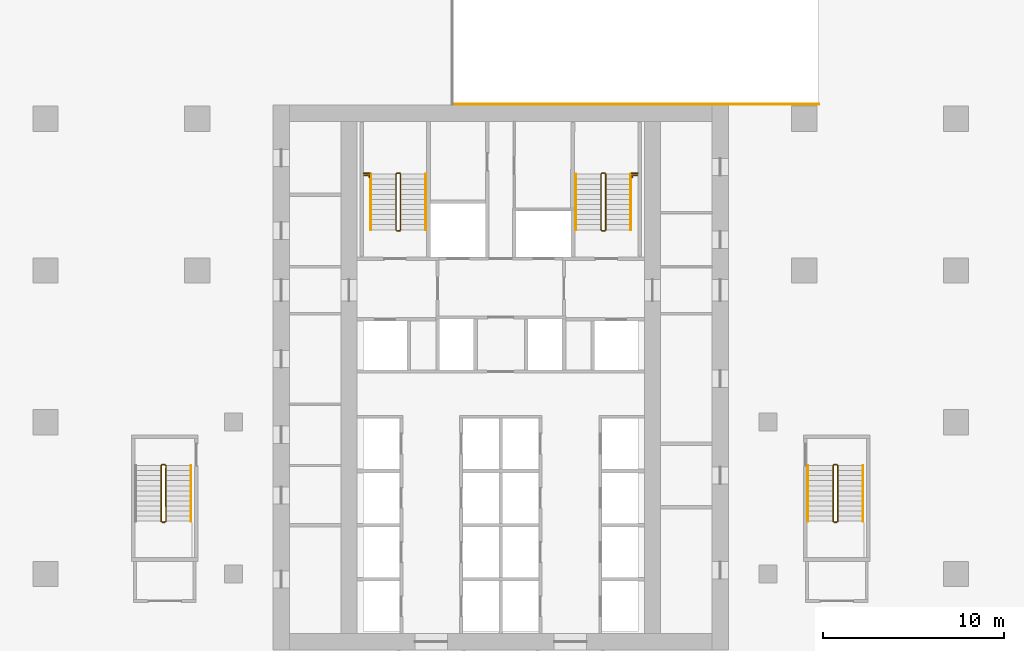
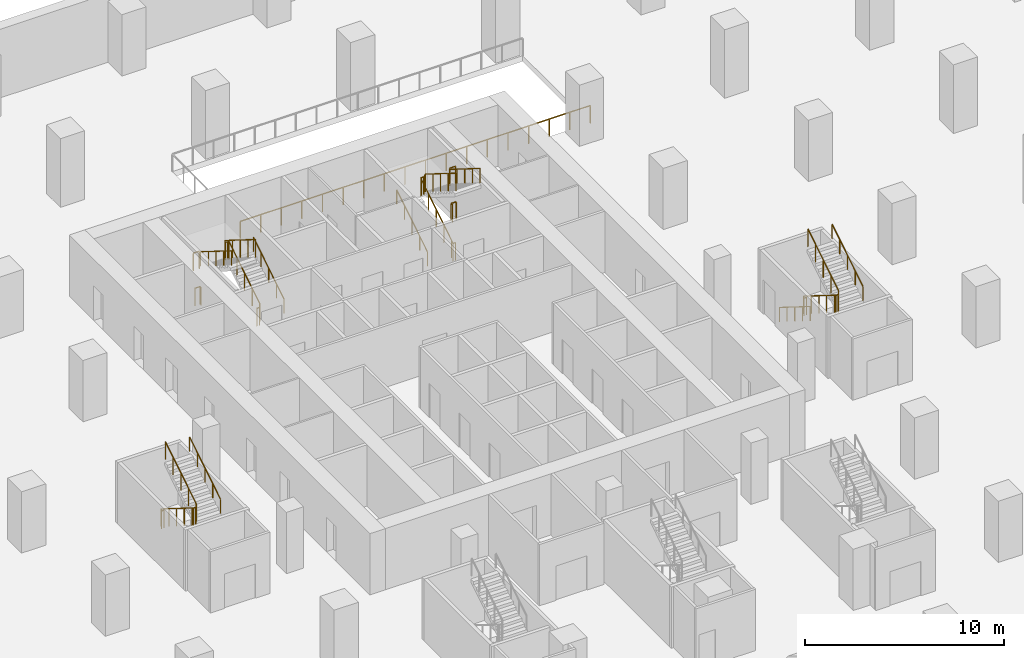
# One storey, part 14 of 17: 16 railings.
"""IFC4 building model written with IfcOpenShell, lengths in metres."""

from ifc_helpers import new_model, si_unit, direction, frame, origin, origin_2d, place, context, subcontext, project, spatial, rectangle, extrude, material, type_object, element, save


model = new_model("IFC4")

# Units and contexts
model_context = context("Model", 3, precision=1e-05, world=origin(), true_north=direction((0.0, 1.0)))
body_context = subcontext(model_context, "Body", "Model", "MODEL_VIEW")
ifc_project = project(units=[si_unit("LENGTHUNIT", "METRE"), si_unit("AREAUNIT", "SQUARE_METRE"), si_unit("VOLUMEUNIT", "CUBIC_METRE"), si_unit("PLANEANGLEUNIT", "RADIAN"), si_unit("MASSUNIT", "GRAM", prefix="KILO")], contexts=[model_context])

# Site, building, storey
site_placement = place(None, origin())
site = spatial("IfcSite", under=ifc_project, at=site_placement, CompositionType="ELEMENT")
building_placement = place(site_placement, origin())
building = spatial("IfcBuilding", under=site, at=building_placement, Name="Vermilion Ogive Tower", CompositionType="ELEMENT")
storey_placement = place(building_placement, frame((0.0, 0.0, -4.199951171875)))
storey = spatial("IfcBuildingStorey", under=building, at=storey_placement, Name="B1", CompositionType="ELEMENT", Elevation=-4.199951171875)

# Railings
ifc_material_1 = material(Name="Stainless steel", Category="steel")
railing_type_1 = type_object("IfcRailingType", Name="Slab edge guard SG1", PredefinedType="GUARDRAIL", material=ifc_material_1)
railing_1_placement = place(storey_placement, frame((-2.683349609375, 21.800048828125, 0.0)))
element("IfcRailing", 1, at=railing_1_placement, inside=storey, type_object=railing_type_1, Name="Ramp opening guard B1 S", PredefinedType="GUARDRAIL", context=body_context, shape_type="SweptSolid", body=[
    extrude(rectangle(XDim=0.050048828125, YDim=0.050048828125, at=origin_2d()), frame((0.0, 0.0, 1.0751953125), z_axis=(1.0, 0.0, 0.0), x_axis=(0.0, 1.0, 0.0)), (0.0, 0.0, 1.0), 20.283447265625),
    extrude(rectangle(XDim=0.050048828125, YDim=0.050048828125, at=origin_2d()), origin(), (0.0, 0.0, 1.0), 1.050048828125),
    extrude(rectangle(XDim=0.050048828125, YDim=0.050048828125, at=origin_2d()), frame((1.193115234375, 0.0, 0.0)), (0.0, 0.0, 1.0), 1.050048828125),
    extrude(rectangle(XDim=0.050048828125, YDim=0.050048828125, at=origin_2d()), frame((2.38623046875, 0.0, 0.0)), (0.0, 0.0, 1.0), 1.050048828125),
    extrude(rectangle(XDim=0.050048828125, YDim=0.050048828125, at=origin_2d()), frame((3.579345703125, 0.0, 0.0)), (0.0, 0.0, 1.0), 1.050048828125),
    extrude(rectangle(XDim=0.050048828125, YDim=0.050048828125, at=origin_2d()), frame((4.7724609375, 0.0, 0.0)), (0.0, 0.0, 1.0), 1.050048828125),
    extrude(rectangle(XDim=0.050048828125, YDim=0.050048828125, at=origin_2d()), frame((5.9658203125, 0.0, 0.0)), (0.0, 0.0, 1.0), 1.050048828125),
    extrude(rectangle(XDim=0.050048828125, YDim=0.050048828125, at=origin_2d()), frame((7.158935546875, 0.0, 0.0)), (0.0, 0.0, 1.0), 1.050048828125),
    extrude(rectangle(XDim=0.050048828125, YDim=0.050048828125, at=origin_2d()), frame((8.35205078125, 0.0, 0.0)), (0.0, 0.0, 1.0), 1.050048828125),
    extrude(rectangle(XDim=0.050048828125, YDim=0.050048828125, at=origin_2d()), frame((9.545166015625, 0.0, 0.0)), (0.0, 0.0, 1.0), 1.050048828125),
    extrude(rectangle(XDim=0.050048828125, YDim=0.050048828125, at=origin_2d()), frame((10.73828125, 0.0, 0.0)), (0.0, 0.0, 1.0), 1.050048828125),
    extrude(rectangle(XDim=0.050048828125, YDim=0.050048828125, at=origin_2d()), frame((11.931396484375, 0.0, 0.0)), (0.0, 0.0, 1.0), 1.050048828125),
    extrude(rectangle(XDim=0.050048828125, YDim=0.050048828125, at=origin_2d()), frame((13.12451171875, 0.0, 0.0)), (0.0, 0.0, 1.0), 1.050048828125),
    extrude(rectangle(XDim=0.050048828125, YDim=0.050048828125, at=origin_2d()), frame((14.317626953125, 0.0, 0.0)), (0.0, 0.0, 1.0), 1.050048828125),
    extrude(rectangle(XDim=0.050048828125, YDim=0.050048828125, at=origin_2d()), frame((15.510986328125, 0.0, 0.0)), (0.0, 0.0, 1.0), 1.050048828125),
    extrude(rectangle(XDim=0.050048828125, YDim=0.050048828125, at=origin_2d()), frame((16.7041015625, 0.0, 0.0)), (0.0, 0.0, 1.0), 1.050048828125),
    extrude(rectangle(XDim=0.050048828125, YDim=0.050048828125, at=origin_2d()), frame((17.897216796875, 0.0, 0.0)), (0.0, 0.0, 1.0), 1.050048828125),
    extrude(rectangle(XDim=0.050048828125, YDim=0.050048828125, at=origin_2d()), frame((19.09033203125, 0.0, 0.0)), (0.0, 0.0, 1.0), 1.050048828125),
    extrude(rectangle(XDim=0.050048828125, YDim=0.050048828125, at=origin_2d()), frame((20.283447265625, 0.0, 0.0)), (0.0, 0.0, 1.0), 1.050048828125),
])
ifc_material_2 = material(Name="Steel S355 painted", Category="steel")
railing_type_2 = type_object("IfcRailingType", Name="Stair guard 1100", PredefinedType="GUARDRAIL", material=ifc_material_2)
railing_2_placement = place(storey_placement, frame((-5.75, 14.800048828125, 0.0)))
element("IfcRailing", 2, at=railing_2_placement, inside=storey, type_object=railing_type_2, Name="B1 ST1 stair guard 4", PredefinedType="GUARDRAIL", context=body_context, shape_type="SweptSolid", body=[
    extrude(rectangle(XDim=0.048095703125, YDim=0.048095703125, at=origin_2d()), frame((0.0, 0.0, 1.076171875), z_axis=(1.0, 0.0, 0.0), x_axis=(0.0, 1.0, 0.0)), (0.0, 0.0, 1.0), 0.14990234375),
    extrude(rectangle(XDim=0.048095703125, YDim=0.048095703125, at=origin_2d()), frame((0.14990234375, 0.0, 1.076171875), z_axis=(0.265065253269, 0.265065253269, 0.927081885822), x_axis=(-0.707106781187, 0.707106781187, 0.0)), (0.0, 0.0, 1.0), 0.188720703125),
    extrude(rectangle(XDim=0.048095703125, YDim=0.048095703125, at=origin_2d()), frame((0.199951171875, 0.050048828125, 1.2509765625), z_axis=(0.0, 0.848009633417, 0.529980812513), x_axis=(-1.0, 0.0, 0.0)), (0.0, 0.0, 1.0), 3.6318359375),
    extrude(rectangle(XDim=0.048095703125, YDim=0.048095703125, at=origin_2d()), frame((0.199951171875, 3.1298828125, 3.17578125), z_axis=(-0.707106781187, 0.707106781187, 0.0), x_axis=(-0.707106781187, -0.707106781187, 0.0)), (0.0, 0.0, 1.0), 0.07080078125),
    extrude(rectangle(XDim=0.048095703125, YDim=0.048095703125, at=origin_2d()), frame((0.14990234375, 3.179931640625, 3.17578125), z_axis=(-1.0, 0.0, 0.0), x_axis=(0.0, -1.0, 0.0)), (0.0, 0.0, 1.0), 0.14990234375),
    extrude(rectangle(XDim=0.048095703125, YDim=0.048095703125, at=origin_2d()), frame((0.0, 3.179931640625, 3.17578125), z_axis=(-0.265065253269, -0.265065253269, 0.927081885822), x_axis=(0.707106781187, -0.707106781187, 0.0)), (0.0, 0.0, 1.0), 0.188720703125),
    extrude(rectangle(XDim=0.048095703125, YDim=0.048095703125, at=origin_2d()), frame((-0.050048828125, 3.1298828125, 3.35107421875), z_axis=(0.0, -0.847979421464, 0.530029150871), x_axis=(1.0, 0.0, 0.0)), (0.0, 0.0, 1.0), 3.632080078125),
    extrude(rectangle(XDim=0.0419921875, YDim=0.0419921875, at=origin_2d()), origin(), (0.0, 0.0, 1.0), 1.052001953125),
    extrude(rectangle(XDim=0.0419921875, YDim=0.0419921875, at=origin_2d()), frame((0.14990234375, 0.0, 0.0)), (0.0, 0.0, 1.0), 1.052001953125),
    extrude(rectangle(XDim=0.0419921875, YDim=0.0419921875, at=origin_2d()), frame((0.199951171875, 0.050048828125, 0.175048828125)), (0.0, 0.0, 1.0), 1.052001953125),
    extrude(rectangle(XDim=0.0419921875, YDim=0.0419921875, at=origin_2d()), frame((0.199951171875, 0.820068359375, 0.65625)), (0.0, 0.0, 1.0), 1.052001953125),
    extrude(rectangle(XDim=0.0419921875, YDim=0.0419921875, at=origin_2d()), frame((0.199951171875, 1.58984375, 1.137451171875)), (0.0, 0.0, 1.0), 1.052001953125),
    extrude(rectangle(XDim=0.0419921875, YDim=0.0419921875, at=origin_2d()), frame((0.199951171875, 2.35986328125, 1.61865234375)), (0.0, 0.0, 1.0), 1.052001953125),
    extrude(rectangle(XDim=0.0419921875, YDim=0.0419921875, at=origin_2d()), frame((0.199951171875, 3.1298828125, 2.099853515625)), (0.0, 0.0, 1.0), 1.052001953125),
    extrude(rectangle(XDim=0.0419921875, YDim=0.0419921875, at=origin_2d()), frame((0.14990234375, 3.179931640625, 2.099853515625)), (0.0, 0.0, 1.0), 1.052001953125),
    extrude(rectangle(XDim=0.0419921875, YDim=0.0419921875, at=origin_2d()), frame((0.0, 3.179931640625, 2.099853515625)), (0.0, 0.0, 1.0), 1.052001953125),
    extrude(rectangle(XDim=0.0419921875, YDim=0.0419921875, at=origin_2d()), frame((-0.050048828125, 3.1298828125, 2.27490234375)), (0.0, 0.0, 1.0), 1.052001953125),
    extrude(rectangle(XDim=0.0419921875, YDim=0.0419921875, at=origin_2d()), frame((-0.050048828125, 2.35986328125, 2.756103515625)), (0.0, 0.0, 1.0), 1.052001953125),
    extrude(rectangle(XDim=0.0419921875, YDim=0.0419921875, at=origin_2d()), frame((-0.050048828125, 1.58984375, 3.2373046875)), (0.0, 0.0, 1.0), 1.052001953125),
    extrude(rectangle(XDim=0.0419921875, YDim=0.0419921875, at=origin_2d()), frame((-0.050048828125, 0.820068359375, 3.71875)), (0.0, 0.0, 1.0), 1.052001953125),
    extrude(rectangle(XDim=0.0419921875, YDim=0.0419921875, at=origin_2d()), frame((-0.050048828125, 0.050048828125, 4.199951171875)), (0.0, 0.0, 1.0), 1.052001953125),
])
railing_3_placement = place(storey_placement, frame((5.75, 14.800048828125, 0.0)))
element("IfcRailing", 3, at=railing_3_placement, inside=storey, type_object=railing_type_2, Name="B1 ST2 stair guard 4", PredefinedType="GUARDRAIL", context=body_context, shape_type="SweptSolid", body=[
    extrude(rectangle(XDim=0.048095703125, YDim=0.048095703125, at=origin_2d()), frame((0.0, 0.0, 1.076171875), z_axis=(-1.0, 0.0, 0.0), x_axis=(0.0, -1.0, 0.0)), (0.0, 0.0, 1.0), 0.14990234375),
    extrude(rectangle(XDim=0.048095703125, YDim=0.048095703125, at=origin_2d()), frame((-0.14990234375, 0.0, 1.076171875), z_axis=(-0.265065253269, 0.265065253269, 0.927081885822), x_axis=(-0.707106781187, -0.707106781187, 0.0)), (0.0, 0.0, 1.0), 0.188720703125),
    extrude(rectangle(XDim=0.048095703125, YDim=0.048095703125, at=origin_2d()), frame((-0.199951171875, 0.050048828125, 1.2509765625), z_axis=(0.0, 0.848009633417, 0.529980812513), x_axis=(-1.0, 0.0, 0.0)), (0.0, 0.0, 1.0), 3.6318359375),
    extrude(rectangle(XDim=0.048095703125, YDim=0.048095703125, at=origin_2d()), frame((-0.199951171875, 3.1298828125, 3.17578125), z_axis=(0.707106781187, 0.707106781187, 0.0), x_axis=(-0.707106781187, 0.707106781187, 0.0)), (0.0, 0.0, 1.0), 0.07080078125),
    extrude(rectangle(XDim=0.048095703125, YDim=0.048095703125, at=origin_2d()), frame((-0.14990234375, 3.179931640625, 3.17578125), z_axis=(1.0, 0.0, 0.0), x_axis=(0.0, 1.0, 0.0)), (0.0, 0.0, 1.0), 0.14990234375),
    extrude(rectangle(XDim=0.048095703125, YDim=0.048095703125, at=origin_2d()), frame((0.0, 3.179931640625, 3.17578125), z_axis=(0.265065253269, -0.265065253269, 0.927081885822), x_axis=(0.707106781187, 0.707106781187, 0.0)), (0.0, 0.0, 1.0), 0.188720703125),
    extrude(rectangle(XDim=0.048095703125, YDim=0.048095703125, at=origin_2d()), frame((0.050048828125, 3.1298828125, 3.35107421875), z_axis=(0.0, -0.847979421464, 0.530029150871), x_axis=(1.0, 0.0, 0.0)), (0.0, 0.0, 1.0), 3.632080078125),
    extrude(rectangle(XDim=0.0419921875, YDim=0.0419921875, at=origin_2d()), origin(), (0.0, 0.0, 1.0), 1.052001953125),
    extrude(rectangle(XDim=0.0419921875, YDim=0.0419921875, at=origin_2d()), frame((-0.14990234375, 0.0, 0.0)), (0.0, 0.0, 1.0), 1.052001953125),
    extrude(rectangle(XDim=0.0419921875, YDim=0.0419921875, at=origin_2d()), frame((-0.199951171875, 0.050048828125, 0.175048828125)), (0.0, 0.0, 1.0), 1.052001953125),
    extrude(rectangle(XDim=0.0419921875, YDim=0.0419921875, at=origin_2d()), frame((-0.199951171875, 0.820068359375, 0.65625)), (0.0, 0.0, 1.0), 1.052001953125),
    extrude(rectangle(XDim=0.0419921875, YDim=0.0419921875, at=origin_2d()), frame((-0.199951171875, 1.58984375, 1.137451171875)), (0.0, 0.0, 1.0), 1.052001953125),
    extrude(rectangle(XDim=0.0419921875, YDim=0.0419921875, at=origin_2d()), frame((-0.199951171875, 2.35986328125, 1.61865234375)), (0.0, 0.0, 1.0), 1.052001953125),
    extrude(rectangle(XDim=0.0419921875, YDim=0.0419921875, at=origin_2d()), frame((-0.199951171875, 3.1298828125, 2.099853515625)), (0.0, 0.0, 1.0), 1.052001953125),
    extrude(rectangle(XDim=0.0419921875, YDim=0.0419921875, at=origin_2d()), frame((-0.14990234375, 3.179931640625, 2.099853515625)), (0.0, 0.0, 1.0), 1.052001953125),
    extrude(rectangle(XDim=0.0419921875, YDim=0.0419921875, at=origin_2d()), frame((0.0, 3.179931640625, 2.099853515625)), (0.0, 0.0, 1.0), 1.052001953125),
    extrude(rectangle(XDim=0.0419921875, YDim=0.0419921875, at=origin_2d()), frame((0.050048828125, 3.1298828125, 2.27490234375)), (0.0, 0.0, 1.0), 1.052001953125),
    extrude(rectangle(XDim=0.0419921875, YDim=0.0419921875, at=origin_2d()), frame((0.050048828125, 2.35986328125, 2.756103515625)), (0.0, 0.0, 1.0), 1.052001953125),
    extrude(rectangle(XDim=0.0419921875, YDim=0.0419921875, at=origin_2d()), frame((0.050048828125, 1.58984375, 3.2373046875)), (0.0, 0.0, 1.0), 1.052001953125),
    extrude(rectangle(XDim=0.0419921875, YDim=0.0419921875, at=origin_2d()), frame((0.050048828125, 0.820068359375, 3.71875)), (0.0, 0.0, 1.0), 1.052001953125),
    extrude(rectangle(XDim=0.0419921875, YDim=0.0419921875, at=origin_2d()), frame((0.050048828125, 0.050048828125, 4.199951171875)), (0.0, 0.0, 1.0), 1.052001953125),
])
railing_4_placement = place(storey_placement, frame((18.60009765625, 1.85009765625, 0.0)))
element("IfcRailing", 4, at=railing_4_placement, inside=storey, type_object=railing_type_2, Name="B1 ST8 stair guard 4", PredefinedType="GUARDRAIL", context=body_context, shape_type="SweptSolid", body=[
    extrude(rectangle(XDim=0.048095703125, YDim=0.048095703125, at=origin_2d()), frame((0.0, 0.0, 1.076171875), z_axis=(-1.0, 0.0, 0.0), x_axis=(0.0, -1.0, 0.0)), (0.0, 0.0, 1.0), 0.150146484375),
    extrude(rectangle(XDim=0.048095703125, YDim=0.048095703125, at=origin_2d()), frame((-0.150146484375, 0.0, 1.076171875), z_axis=(-0.265065253269, -0.265065253269, 0.927081885822), x_axis=(0.707106781187, -0.707106781187, 0.0)), (0.0, 0.0, 1.0), 0.188720703125),
    extrude(rectangle(XDim=0.048095703125, YDim=0.048095703125, at=origin_2d()), frame((-0.2001953125, -0.050048828125, 1.2509765625), z_axis=(0.0, -0.848028513186, 0.529950602248), x_axis=(1.0, 0.0, 0.0)), (0.0, 0.0, 1.0), 3.632080078125),
    extrude(rectangle(XDim=0.048095703125, YDim=0.048095703125, at=origin_2d()), frame((-0.2001953125, -3.130126953125, 3.17578125), z_axis=(0.707106781187, -0.707106781187, 0.0), x_axis=(0.707106781187, 0.707106781187, 0.0)), (0.0, 0.0, 1.0), 0.07080078125),
    extrude(rectangle(XDim=0.048095703125, YDim=0.048095703125, at=origin_2d()), frame((-0.150146484375, -3.18017578125, 3.17578125), z_axis=(1.0, 0.0, 0.0), x_axis=(0.0, 1.0, 0.0)), (0.0, 0.0, 1.0), 0.150146484375),
    extrude(rectangle(XDim=0.048095703125, YDim=0.048095703125, at=origin_2d()), frame((0.0, -3.18017578125, 3.17578125), z_axis=(0.263862480399, 0.265155923931, 0.927399011991), x_axis=(-0.708833529934, 0.705375805398, 0.0)), (0.0, 0.0, 1.0), 0.188720703125),
    extrude(rectangle(XDim=0.048095703125, YDim=0.048095703125, at=origin_2d()), frame((0.0498046875, -3.130126953125, 3.35107421875), z_axis=(0.0, 0.847998304005, 0.529998940003), x_axis=(-1.0, 0.0, 0.0)), (0.0, 0.0, 1.0), 3.632080078125),
    extrude(rectangle(XDim=0.0419921875, YDim=0.0419921875, at=origin_2d()), origin(), (0.0, 0.0, 1.0), 1.052001953125),
    extrude(rectangle(XDim=0.0419921875, YDim=0.0419921875, at=origin_2d()), frame((-0.150146484375, 0.0, 0.0)), (0.0, 0.0, 1.0), 1.052001953125),
    extrude(rectangle(XDim=0.0419921875, YDim=0.0419921875, at=origin_2d()), frame((-0.2001953125, -0.050048828125, 0.175048828125)), (0.0, 0.0, 1.0), 1.052001953125),
    extrude(rectangle(XDim=0.0419921875, YDim=0.0419921875, at=origin_2d()), frame((-0.2001953125, -0.820068359375, 0.65625)), (0.0, 0.0, 1.0), 1.052001953125),
    extrude(rectangle(XDim=0.0419921875, YDim=0.0419921875, at=origin_2d()), frame((-0.2001953125, -1.590087890625, 1.137451171875)), (0.0, 0.0, 1.0), 1.052001953125),
    extrude(rectangle(XDim=0.0419921875, YDim=0.0419921875, at=origin_2d()), frame((-0.2001953125, -2.360107421875, 1.61865234375)), (0.0, 0.0, 1.0), 1.052001953125),
    extrude(rectangle(XDim=0.0419921875, YDim=0.0419921875, at=origin_2d()), frame((-0.2001953125, -3.130126953125, 2.099853515625)), (0.0, 0.0, 1.0), 1.052001953125),
    extrude(rectangle(XDim=0.0419921875, YDim=0.0419921875, at=origin_2d()), frame((-0.150146484375, -3.18017578125, 2.099853515625)), (0.0, 0.0, 1.0), 1.052001953125),
    extrude(rectangle(XDim=0.0419921875, YDim=0.0419921875, at=origin_2d()), frame((0.0, -3.18017578125, 2.099853515625)), (0.0, 0.0, 1.0), 1.052001953125),
    extrude(rectangle(XDim=0.0419921875, YDim=0.0419921875, at=origin_2d()), frame((0.0498046875, -3.130126953125, 2.27490234375)), (0.0, 0.0, 1.0), 1.052001953125),
    extrude(rectangle(XDim=0.0419921875, YDim=0.0419921875, at=origin_2d()), frame((0.0498046875, -2.360107421875, 2.756103515625)), (0.0, 0.0, 1.0), 1.052001953125),
    extrude(rectangle(XDim=0.0419921875, YDim=0.0419921875, at=origin_2d()), frame((0.0498046875, -1.590087890625, 3.2373046875)), (0.0, 0.0, 1.0), 1.052001953125),
    extrude(rectangle(XDim=0.0419921875, YDim=0.0419921875, at=origin_2d()), frame((0.0498046875, -0.820068359375, 3.71875)), (0.0, 0.0, 1.0), 1.052001953125),
    extrude(rectangle(XDim=0.0419921875, YDim=0.0419921875, at=origin_2d()), frame((0.0498046875, -0.050048828125, 4.199951171875)), (0.0, 0.0, 1.0), 1.052001953125),
])
railing_5_placement = place(storey_placement, frame((-18.60009765625, 1.85009765625, 0.0)))
element("IfcRailing", 5, at=railing_5_placement, inside=storey, type_object=railing_type_2, Name="B1 ST9 stair guard 4", PredefinedType="GUARDRAIL", context=body_context, shape_type="SweptSolid", body=[
    extrude(rectangle(XDim=0.048095703125, YDim=0.048095703125, at=origin_2d()), frame((0.0, 0.0, 1.076171875), z_axis=(-1.0, 0.0, 0.0), x_axis=(0.0, -1.0, 0.0)), (0.0, 0.0, 1.0), 0.14990234375),
    extrude(rectangle(XDim=0.048095703125, YDim=0.048095703125, at=origin_2d()), frame((-0.14990234375, 0.0, 1.076171875), z_axis=(-0.265065253269, -0.265065253269, 0.927081885822), x_axis=(0.707106781187, -0.707106781187, 0.0)), (0.0, 0.0, 1.0), 0.188720703125),
    extrude(rectangle(XDim=0.048095703125, YDim=0.048095703125, at=origin_2d()), frame((-0.199951171875, -0.050048828125, 1.2509765625), z_axis=(0.0, -0.848028513186, 0.529950602248), x_axis=(1.0, 0.0, 0.0)), (0.0, 0.0, 1.0), 3.632080078125),
    extrude(rectangle(XDim=0.048095703125, YDim=0.048095703125, at=origin_2d()), frame((-0.199951171875, -3.130126953125, 3.17578125), z_axis=(0.707106781187, -0.707106781187, 0.0), x_axis=(0.707106781187, 0.707106781187, 0.0)), (0.0, 0.0, 1.0), 0.07080078125),
    extrude(rectangle(XDim=0.048095703125, YDim=0.048095703125, at=origin_2d()), frame((-0.14990234375, -3.18017578125, 3.17578125), z_axis=(1.0, 0.0, 0.0), x_axis=(0.0, 1.0, 0.0)), (0.0, 0.0, 1.0), 0.14990234375),
    extrude(rectangle(XDim=0.048095703125, YDim=0.048095703125, at=origin_2d()), frame((0.0, -3.18017578125, 3.17578125), z_axis=(0.265065253269, 0.265065253269, 0.927081885822), x_axis=(-0.707106781187, 0.707106781187, 0.0)), (0.0, 0.0, 1.0), 0.188720703125),
    extrude(rectangle(XDim=0.048095703125, YDim=0.048095703125, at=origin_2d()), frame((0.050048828125, -3.130126953125, 3.35107421875), z_axis=(0.0, 0.847998304005, 0.529998940003), x_axis=(-1.0, 0.0, 0.0)), (0.0, 0.0, 1.0), 3.632080078125),
    extrude(rectangle(XDim=0.0419921875, YDim=0.0419921875, at=origin_2d()), origin(), (0.0, 0.0, 1.0), 1.052001953125),
    extrude(rectangle(XDim=0.0419921875, YDim=0.0419921875, at=origin_2d()), frame((-0.14990234375, 0.0, 0.0)), (0.0, 0.0, 1.0), 1.052001953125),
    extrude(rectangle(XDim=0.0419921875, YDim=0.0419921875, at=origin_2d()), frame((-0.199951171875, -0.050048828125, 0.175048828125)), (0.0, 0.0, 1.0), 1.052001953125),
    extrude(rectangle(XDim=0.0419921875, YDim=0.0419921875, at=origin_2d()), frame((-0.199951171875, -0.820068359375, 0.65625)), (0.0, 0.0, 1.0), 1.052001953125),
    extrude(rectangle(XDim=0.0419921875, YDim=0.0419921875, at=origin_2d()), frame((-0.199951171875, -1.590087890625, 1.137451171875)), (0.0, 0.0, 1.0), 1.052001953125),
    extrude(rectangle(XDim=0.0419921875, YDim=0.0419921875, at=origin_2d()), frame((-0.199951171875, -2.360107421875, 1.61865234375)), (0.0, 0.0, 1.0), 1.052001953125),
    extrude(rectangle(XDim=0.0419921875, YDim=0.0419921875, at=origin_2d()), frame((-0.199951171875, -3.130126953125, 2.099853515625)), (0.0, 0.0, 1.0), 1.052001953125),
    extrude(rectangle(XDim=0.0419921875, YDim=0.0419921875, at=origin_2d()), frame((-0.14990234375, -3.18017578125, 2.099853515625)), (0.0, 0.0, 1.0), 1.052001953125),
    extrude(rectangle(XDim=0.0419921875, YDim=0.0419921875, at=origin_2d()), frame((0.0, -3.18017578125, 2.099853515625)), (0.0, 0.0, 1.0), 1.052001953125),
    extrude(rectangle(XDim=0.0419921875, YDim=0.0419921875, at=origin_2d()), frame((0.050048828125, -3.130126953125, 2.27490234375)), (0.0, 0.0, 1.0), 1.052001953125),
    extrude(rectangle(XDim=0.0419921875, YDim=0.0419921875, at=origin_2d()), frame((0.050048828125, -2.360107421875, 2.756103515625)), (0.0, 0.0, 1.0), 1.052001953125),
    extrude(rectangle(XDim=0.0419921875, YDim=0.0419921875, at=origin_2d()), frame((0.050048828125, -1.590087890625, 3.2373046875)), (0.0, 0.0, 1.0), 1.052001953125),
    extrude(rectangle(XDim=0.0419921875, YDim=0.0419921875, at=origin_2d()), frame((0.050048828125, -0.820068359375, 3.71875)), (0.0, 0.0, 1.0), 1.052001953125),
    extrude(rectangle(XDim=0.0419921875, YDim=0.0419921875, at=origin_2d()), frame((0.050048828125, -0.050048828125, 4.199951171875)), (0.0, 0.0, 1.0), 1.052001953125),
])
for number, where, name in (
    (6, (-7.60009765625, 17.97998046875, 2.099853515625), "B1 landing guard"),
    (7, (7.25, 17.97998046875, 2.099853515625), "B1 landing guard"),
):
    element("IfcRailing", number, at=place(storey_placement, frame(where)), inside=storey, type_object=railing_type_2, Name=name, PredefinedType="GUARDRAIL", context=body_context, shape_type="SweptSolid", body=[
        extrude(rectangle(XDim=0.048095703125, YDim=0.048095703125, at=origin_2d()), frame((0.0, 0.0, 1.076171875), z_axis=(1.0, 0.0, 0.0), x_axis=(0.0, 1.0, 0.0)), (0.0, 0.0, 1.0), 0.35009765625),
        extrude(rectangle(XDim=0.0419921875, YDim=0.0419921875, at=origin_2d()), origin(), (0.0, 0.0, 1.0), 1.052001953125),
        extrude(rectangle(XDim=0.0419921875, YDim=0.0419921875, at=origin_2d()), frame((0.35009765625, 0.0, 0.0)), (0.0, 0.0, 1.0), 1.052001953125),
    ])
railing_6_placement = place(storey_placement, frame((-7.56298828125, 17.87451171875, 0.0)))
element("IfcRailing", 8, at=railing_6_placement, inside=storey, type_object=railing_type_2, Name="B1 stair opening guard", PredefinedType="GUARDRAIL", context=body_context, shape_type="SweptSolid", body=[
    extrude(rectangle(XDim=0.048095703125, YDim=0.048095703125, at=origin_2d()), frame((0.0, 0.0, 1.076171875), z_axis=(1.0, 0.0, 0.0), x_axis=(0.0, 1.0, 0.0)), (0.0, 0.0, 1.0), 0.2900390625),
    extrude(rectangle(XDim=0.048095703125, YDim=0.048095703125, at=origin_2d()), frame((0.2900390625, 0.0, 1.076171875), z_axis=(0.0, -1.0, 0.0), x_axis=(1.0, 0.0, 0.0)), (0.0, 0.0, 1.0), 0.119873046875),
    extrude(rectangle(XDim=0.0419921875, YDim=0.0419921875, at=origin_2d()), origin(), (0.0, 0.0, 1.0), 1.052001953125),
    extrude(rectangle(XDim=0.0419921875, YDim=0.0419921875, at=origin_2d()), frame((0.2900390625, 0.0, 0.0)), (0.0, 0.0, 1.0), 1.052001953125),
    extrude(rectangle(XDim=0.0419921875, YDim=0.0419921875, at=origin_2d()), frame((0.2900390625, -0.119873046875, 0.0)), (0.0, 0.0, 1.0), 1.052001953125),
])
railing_7_placement = place(storey_placement, frame((7.27294921875, 17.754638671875, 0.0)))
element("IfcRailing", 9, at=railing_7_placement, inside=storey, type_object=railing_type_2, Name="B1 stair opening guard", PredefinedType="GUARDRAIL", context=body_context, shape_type="SweptSolid", body=[
    extrude(rectangle(XDim=0.048095703125, YDim=0.048095703125, at=origin_2d()), frame((0.0, 0.0, 1.076171875), z_axis=(0.0, 1.0, 0.0), x_axis=(-1.0, 0.0, 0.0)), (0.0, 0.0, 1.0), 0.119873046875),
    extrude(rectangle(XDim=0.048095703125, YDim=0.048095703125, at=origin_2d()), frame((0.0, 0.119873046875, 1.076171875), z_axis=(1.0, 0.0, 0.0), x_axis=(0.0, 1.0, 0.0)), (0.0, 0.0, 1.0), 0.2900390625),
    extrude(rectangle(XDim=0.0419921875, YDim=0.0419921875, at=origin_2d()), origin(), (0.0, 0.0, 1.0), 1.052001953125),
    extrude(rectangle(XDim=0.0419921875, YDim=0.0419921875, at=origin_2d()), frame((0.0, 0.119873046875, 0.0)), (0.0, 0.0, 1.0), 1.052001953125),
    extrude(rectangle(XDim=0.0419921875, YDim=0.0419921875, at=origin_2d()), frame((0.2900390625, 0.119873046875, 0.0)), (0.0, 0.0, 1.0), 1.052001953125),
])
ifc_material_3 = material(Name="Stainless steel", Category="steel")
railing_type_3 = type_object("IfcRailingType", Name="Stair handrail 900", PredefinedType="HANDRAIL", material=ifc_material_3)
railing_8_placement = place(storey_placement, frame((-4.14990234375, 14.85009765625, 0.175048828125)))
element("IfcRailing", 10, at=railing_8_placement, inside=storey, type_object=railing_type_3, Name="B1 ST1 stair handrail 1", PredefinedType="HANDRAIL", context=body_context, shape_type="SweptSolid", body=[
    extrude(rectangle(XDim=0.048095703125, YDim=0.048095703125, at=origin_2d()), frame((0.0, 0.0, 0.8759765625), z_axis=(0.0, 0.848009633417, 0.529980812513), x_axis=(-1.0, 0.0, 0.0)), (0.0, 0.0, 1.0), 3.6318359375),
    extrude(rectangle(XDim=0.0419921875, YDim=0.0419921875, at=origin_2d()), origin(), (0.0, 0.0, 1.0), 0.851806640625),
    extrude(rectangle(XDim=0.0419921875, YDim=0.0419921875, at=origin_2d()), frame((0.0, 0.77001953125, 0.481201171875)), (0.0, 0.0, 1.0), 0.851806640625),
    extrude(rectangle(XDim=0.0419921875, YDim=0.0419921875, at=origin_2d()), frame((0.0, 1.5400390625, 0.96240234375)), (0.0, 0.0, 1.0), 0.851806640625),
    extrude(rectangle(XDim=0.0419921875, YDim=0.0419921875, at=origin_2d()), frame((0.0, 2.309814453125, 1.443603515625)), (0.0, 0.0, 1.0), 0.851806640625),
    extrude(rectangle(XDim=0.0419921875, YDim=0.0419921875, at=origin_2d()), frame((0.0, 3.079833984375, 1.9248046875)), (0.0, 0.0, 1.0), 0.851806640625),
])
railing_9_placement = place(storey_placement, frame((-7.199951171875, 17.929931640625, 2.27490234375)))
element("IfcRailing", 11, at=railing_9_placement, inside=storey, type_object=railing_type_3, Name="B1 ST1 stair handrail 2", PredefinedType="HANDRAIL", context=body_context, shape_type="SweptSolid", body=[
    extrude(rectangle(XDim=0.048095703125, YDim=0.048095703125, at=origin_2d()), frame((0.0, 0.0, 0.8759765625), z_axis=(0.0, -0.847979421464, 0.530029150871), x_axis=(1.0, 0.0, 0.0)), (0.0, 0.0, 1.0), 3.632080078125),
    extrude(rectangle(XDim=0.0419921875, YDim=0.0419921875, at=origin_2d()), origin(), (0.0, 0.0, 1.0), 0.851806640625),
    extrude(rectangle(XDim=0.0419921875, YDim=0.0419921875, at=origin_2d()), frame((0.0, -0.77001953125, 0.481201171875)), (0.0, 0.0, 1.0), 0.851806640625),
    extrude(rectangle(XDim=0.0419921875, YDim=0.0419921875, at=origin_2d()), frame((0.0, -1.5400390625, 0.96240234375)), (0.0, 0.0, 1.0), 0.851806640625),
    extrude(rectangle(XDim=0.0419921875, YDim=0.0419921875, at=origin_2d()), frame((0.0, -2.309814453125, 1.44384765625)), (0.0, 0.0, 1.0), 0.851806640625),
    extrude(rectangle(XDim=0.0419921875, YDim=0.0419921875, at=origin_2d()), frame((0.0, -3.079833984375, 1.925048828125)), (0.0, 0.0, 1.0), 0.851806640625),
])
railing_10_placement = place(storey_placement, frame((4.14990234375, 14.85009765625, 0.175048828125)))
element("IfcRailing", 12, at=railing_10_placement, inside=storey, type_object=railing_type_3, Name="B1 ST2 stair handrail 1", PredefinedType="HANDRAIL", context=body_context, shape_type="SweptSolid", body=[
    extrude(rectangle(XDim=0.048095703125, YDim=0.048095703125, at=origin_2d()), frame((0.0, 0.0, 0.8759765625), z_axis=(0.0, 0.848009633417, 0.529980812513), x_axis=(-1.0, 0.0, 0.0)), (0.0, 0.0, 1.0), 3.6318359375),
    extrude(rectangle(XDim=0.0419921875, YDim=0.0419921875, at=origin_2d()), origin(), (0.0, 0.0, 1.0), 0.851806640625),
    extrude(rectangle(XDim=0.0419921875, YDim=0.0419921875, at=origin_2d()), frame((0.0, 0.77001953125, 0.481201171875)), (0.0, 0.0, 1.0), 0.851806640625),
    extrude(rectangle(XDim=0.0419921875, YDim=0.0419921875, at=origin_2d()), frame((0.0, 1.5400390625, 0.96240234375)), (0.0, 0.0, 1.0), 0.851806640625),
    extrude(rectangle(XDim=0.0419921875, YDim=0.0419921875, at=origin_2d()), frame((0.0, 2.309814453125, 1.443603515625)), (0.0, 0.0, 1.0), 0.851806640625),
    extrude(rectangle(XDim=0.0419921875, YDim=0.0419921875, at=origin_2d()), frame((0.0, 3.079833984375, 1.9248046875)), (0.0, 0.0, 1.0), 0.851806640625),
])
railing_11_placement = place(storey_placement, frame((7.199951171875, 17.929931640625, 2.27490234375)))
element("IfcRailing", 13, at=railing_11_placement, inside=storey, type_object=railing_type_3, Name="B1 ST2 stair handrail 2", PredefinedType="HANDRAIL", context=body_context, shape_type="SweptSolid", body=[
    extrude(rectangle(XDim=0.048095703125, YDim=0.048095703125, at=origin_2d()), frame((0.0, 0.0, 0.8759765625), z_axis=(0.0, -0.847979421464, 0.530029150871), x_axis=(1.0, 0.0, 0.0)), (0.0, 0.0, 1.0), 3.632080078125),
    extrude(rectangle(XDim=0.0419921875, YDim=0.0419921875, at=origin_2d()), origin(), (0.0, 0.0, 1.0), 0.851806640625),
    extrude(rectangle(XDim=0.0419921875, YDim=0.0419921875, at=origin_2d()), frame((0.0, -0.77001953125, 0.481201171875)), (0.0, 0.0, 1.0), 0.851806640625),
    extrude(rectangle(XDim=0.0419921875, YDim=0.0419921875, at=origin_2d()), frame((0.0, -1.5400390625, 0.96240234375)), (0.0, 0.0, 1.0), 0.851806640625),
    extrude(rectangle(XDim=0.0419921875, YDim=0.0419921875, at=origin_2d()), frame((0.0, -2.309814453125, 1.44384765625)), (0.0, 0.0, 1.0), 0.851806640625),
    extrude(rectangle(XDim=0.0419921875, YDim=0.0419921875, at=origin_2d()), frame((0.0, -3.079833984375, 1.925048828125)), (0.0, 0.0, 1.0), 0.851806640625),
])
railing_12_placement = place(storey_placement, frame((17.0, 1.800048828125, 0.175048828125)))
element("IfcRailing", 14, at=railing_12_placement, inside=storey, type_object=railing_type_3, Name="B1 ST8 stair handrail 1", PredefinedType="HANDRAIL", context=body_context, shape_type="SweptSolid", body=[
    extrude(rectangle(XDim=0.048095703125, YDim=0.048095703125, at=origin_2d()), frame((0.0, 0.0, 0.8759765625), z_axis=(0.0, -0.848028513186, 0.529950602248), x_axis=(1.0, 0.0, 0.0)), (0.0, 0.0, 1.0), 3.632080078125),
    extrude(rectangle(XDim=0.0419921875, YDim=0.0419921875, at=origin_2d()), origin(), (0.0, 0.0, 1.0), 0.851806640625),
    extrude(rectangle(XDim=0.0419921875, YDim=0.0419921875, at=origin_2d()), frame((0.0, -0.77001953125, 0.481201171875)), (0.0, 0.0, 1.0), 0.851806640625),
    extrude(rectangle(XDim=0.0419921875, YDim=0.0419921875, at=origin_2d()), frame((0.0, -1.5400390625, 0.96240234375)), (0.0, 0.0, 1.0), 0.851806640625),
    extrude(rectangle(XDim=0.0419921875, YDim=0.0419921875, at=origin_2d()), frame((0.0, -2.31005859375, 1.443603515625)), (0.0, 0.0, 1.0), 0.851806640625),
    extrude(rectangle(XDim=0.0419921875, YDim=0.0419921875, at=origin_2d()), frame((0.0, -3.080078125, 1.9248046875)), (0.0, 0.0, 1.0), 0.851806640625),
])
for number, where, name in (
    (15, (20.050048828125, -1.280029296875, 2.27490234375), "B1 ST8 stair handrail 2"),
    (16, (-17.14990234375, -1.280029296875, 2.27490234375), "B1 ST9 stair handrail 2"),
):
    element("IfcRailing", number, at=place(storey_placement, frame(where)), inside=storey, type_object=railing_type_3, Name=name, PredefinedType="HANDRAIL", context=body_context, shape_type="SweptSolid", body=[
        extrude(rectangle(XDim=0.048095703125, YDim=0.048095703125, at=origin_2d()), frame((0.0, 0.0, 0.8759765625), z_axis=(0.0, 0.847998304005, 0.529998940003), x_axis=(-1.0, 0.0, 0.0)), (0.0, 0.0, 1.0), 3.632080078125),
        extrude(rectangle(XDim=0.0419921875, YDim=0.0419921875, at=origin_2d()), origin(), (0.0, 0.0, 1.0), 0.851806640625),
        extrude(rectangle(XDim=0.0419921875, YDim=0.0419921875, at=origin_2d()), frame((0.0, 0.77001953125, 0.481201171875)), (0.0, 0.0, 1.0), 0.851806640625),
        extrude(rectangle(XDim=0.0419921875, YDim=0.0419921875, at=origin_2d()), frame((0.0, 1.5400390625, 0.96240234375)), (0.0, 0.0, 1.0), 0.851806640625),
        extrude(rectangle(XDim=0.0419921875, YDim=0.0419921875, at=origin_2d()), frame((0.0, 2.31005859375, 1.44384765625)), (0.0, 0.0, 1.0), 0.851806640625),
        extrude(rectangle(XDim=0.0419921875, YDim=0.0419921875, at=origin_2d()), frame((0.0, 3.080078125, 1.925048828125)), (0.0, 0.0, 1.0), 0.851806640625),
    ])

save(model, "model.ifc")
